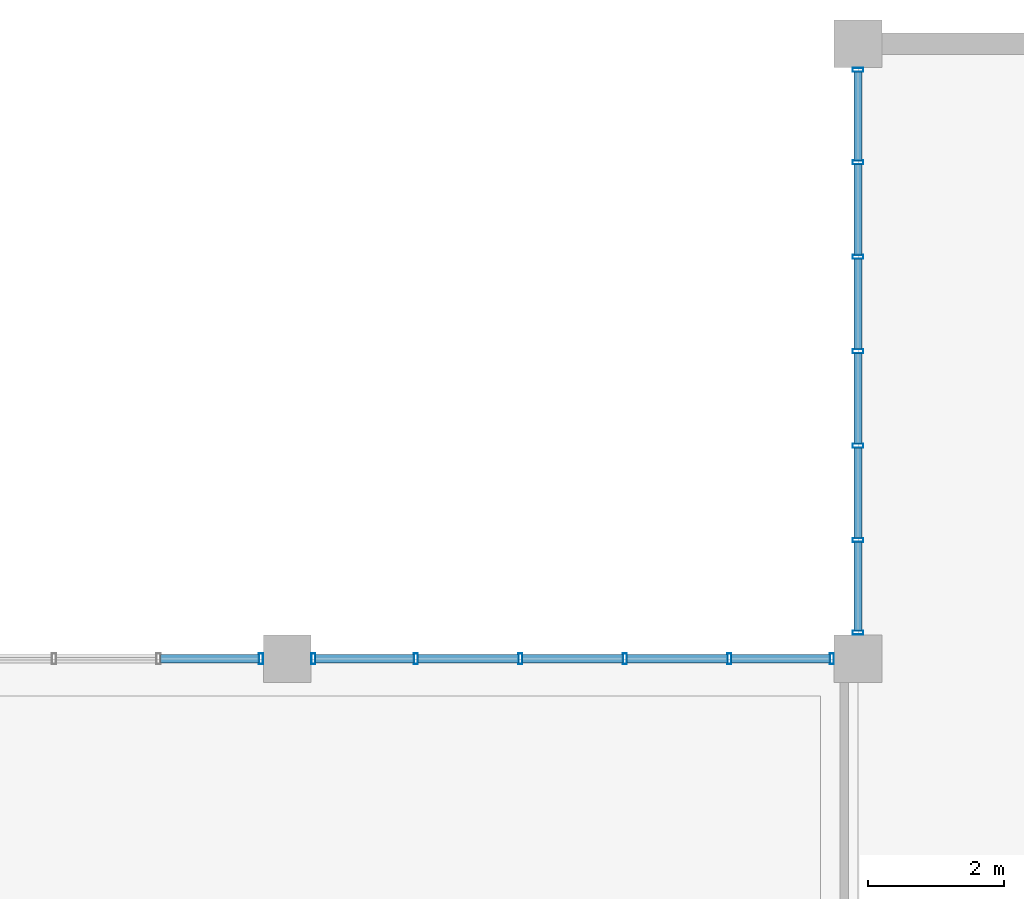
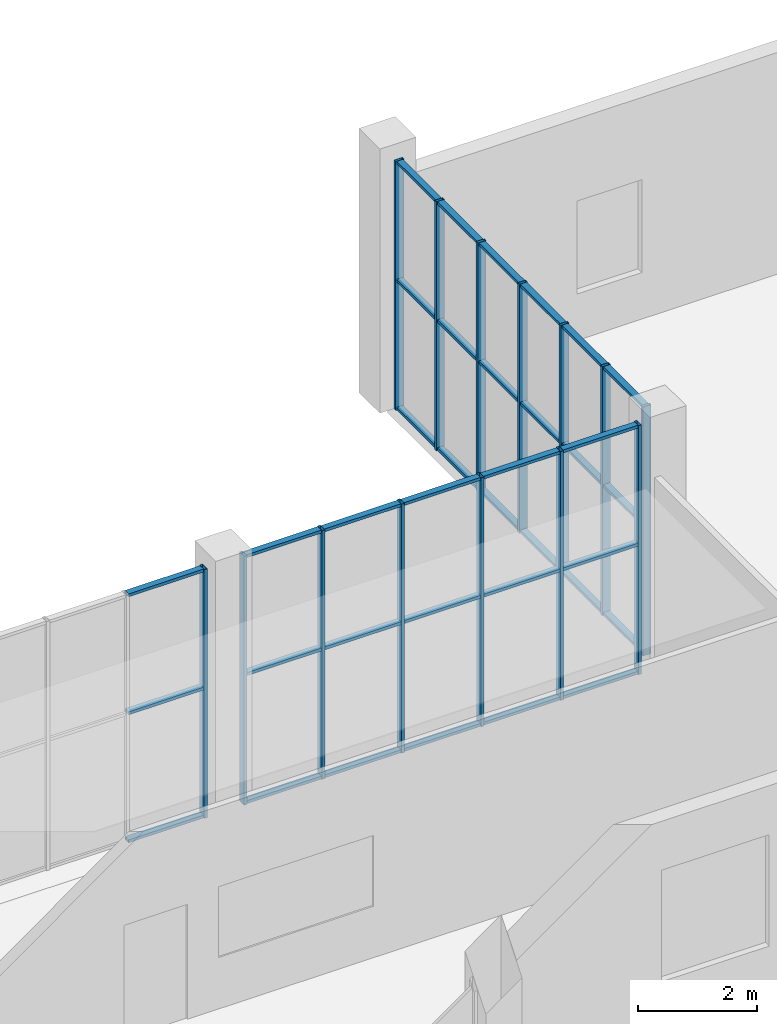
# One storey, part 44 of 91: 50 members, 3 elements without a shape of their own.
"""IFC4 building model written with IfcOpenShell, lengths in metres."""

from ifc_helpers import new_model, si_unit, direction, frame, origin, origin_2d, place, context, subcontext, project, spatial, hollow_rectangle, extrude, material, material_profile, profile_set, type_object, element, aggregate, save


model = new_model("IFC4")

# Units and contexts
model_context = context("Model", 3, precision=1e-05, world=origin(), true_north=direction((0.0, 1.0)))
body_context = subcontext(model_context, "Body", "Model", "MODEL_VIEW")
ifc_project = project(units=[si_unit("LENGTHUNIT", "METRE"), si_unit("AREAUNIT", "SQUARE_METRE"), si_unit("VOLUMEUNIT", "CUBIC_METRE"), si_unit("PLANEANGLEUNIT", "RADIAN"), si_unit("MASSUNIT", "GRAM", prefix="KILO")], contexts=[model_context])

# Site, building, storey
site_placement = place(None, origin())
site = spatial("IfcSite", under=ifc_project, at=site_placement, CompositionType="ELEMENT")
building_placement = place(site_placement, origin())
building = spatial("IfcBuilding", under=site, at=building_placement, Name="Khurvash Pelagic Aquarium", CompositionType="ELEMENT")
storey_placement = place(building_placement, origin())
storey = spatial("IfcBuildingStorey", under=building, at=storey_placement, Name="L00", CompositionType="ELEMENT", Elevation=0.0)

# Curtain wall, members
ifc_material_1 = material(Name="Anodised aluminium and low-E laminated glass", Category="aluminium")
curtain_wall_type_1 = type_object("IfcCurtainWallType", Name="CW-05", PredefinedType="USERDEFINED", material=ifc_material_1)
curtain_wall_1_placement = place(storey_placement, origin())
curtain_wall_1 = element("IfcCurtainWall", 1, at=curtain_wall_1_placement, inside=storey, type_object=curtain_wall_type_1, Name="L00 Facade Unitised Curtain Wall CW-05 0064", ObjectType="UNITISED CURTAIN WALL", PredefinedType="USERDEFINED")
ifc_material_2 = material(Name="Extruded aluminium AW-6063-T6", Category="aluminium")
ifc_material_profile_1 = material_profile(ifc_material_2, hollow_rectangle(XDim=0.06005859375, YDim=0.159912109375, WallThickness=0.00390625, at=origin_2d()), Name="CWM60X160X4")
ifc_profile_set_1 = profile_set([ifc_material_profile_1], Name="Extruded aluminium AW-6063-T6")
member_type_1 = type_object("IfcMemberType", Name="CM-02", PredefinedType="MULLION", material=ifc_profile_set_1)
member_1_placement = place(storey_placement, frame((58.800048828125, 110.81494140625, 0.0), z_axis=(0.0, 0.0, 1.0), x_axis=(0.0, -1.0, 0.0)))
member_1 = element("IfcMember", 2, at=member_1_placement, type_object=member_type_1, Name="CW-05 mullion 1", PredefinedType="MULLION", context=body_context, shape_type="SweptSolid", body=[
    extrude(hollow_rectangle(XDim=0.06005859375, YDim=0.159912109375, WallThickness=0.00390625, at=origin_2d()), origin(), (0.0, 0.0, 1.0), 5.090087890625),
])
member_2_placement = place(storey_placement, frame((58.800048828125, 109.455078125, 0.0), z_axis=(0.0, 0.0, 1.0), x_axis=(0.0, -1.0, 0.0)))
member_2 = element("IfcMember", 3, at=member_2_placement, type_object=member_type_1, Name="CW-05 mullion 2", PredefinedType="MULLION", context=body_context, shape_type="SweptSolid", body=[
    extrude(hollow_rectangle(XDim=0.06005859375, YDim=0.159912109375, WallThickness=0.00390625, at=origin_2d()), origin(), (0.0, 0.0, 1.0), 5.090087890625),
])
member_3_placement = place(storey_placement, frame((58.800048828125, 108.06494140625, 0.0), z_axis=(0.0, 0.0, 1.0), x_axis=(0.0, -1.0, 0.0)))
member_3 = element("IfcMember", 4, at=member_3_placement, type_object=member_type_1, Name="CW-05 mullion 3", PredefinedType="MULLION", context=body_context, shape_type="SweptSolid", body=[
    extrude(hollow_rectangle(XDim=0.06005859375, YDim=0.159912109375, WallThickness=0.00390625, at=origin_2d()), origin(), (0.0, 0.0, 1.0), 5.090087890625),
])
member_4_placement = place(storey_placement, frame((58.800048828125, 106.675048828125, 0.0), z_axis=(0.0, 0.0, 1.0), x_axis=(0.0, -1.0, 0.0)))
member_4 = element("IfcMember", 5, at=member_4_placement, type_object=member_type_1, Name="CW-05 mullion 4", PredefinedType="MULLION", context=body_context, shape_type="SweptSolid", body=[
    extrude(hollow_rectangle(XDim=0.06005859375, YDim=0.159912109375, WallThickness=0.00390625, at=origin_2d()), origin(), (0.0, 0.0, 1.0), 5.090087890625),
])
member_5_placement = place(storey_placement, frame((58.800048828125, 105.284912109375, 0.0), z_axis=(0.0, 0.0, 1.0), x_axis=(0.0, -1.0, 0.0)))
member_5 = element("IfcMember", 6, at=member_5_placement, type_object=member_type_1, Name="CW-05 mullion 5", PredefinedType="MULLION", context=body_context, shape_type="SweptSolid", body=[
    extrude(hollow_rectangle(XDim=0.06005859375, YDim=0.159912109375, WallThickness=0.00390625, at=origin_2d()), origin(), (0.0, 0.0, 1.0), 5.090087890625),
])
member_6_placement = place(storey_placement, frame((58.800048828125, 103.89501953125, 0.0), z_axis=(0.0, 0.0, 1.0), x_axis=(0.0, -1.0, 0.0)))
member_6 = element("IfcMember", 7, at=member_6_placement, type_object=member_type_1, Name="CW-05 mullion 6", PredefinedType="MULLION", context=body_context, shape_type="SweptSolid", body=[
    extrude(hollow_rectangle(XDim=0.06005859375, YDim=0.159912109375, WallThickness=0.00390625, at=origin_2d()), origin(), (0.0, 0.0, 1.0), 5.090087890625),
])
member_7_placement = place(storey_placement, frame((58.800048828125, 102.534912109375, 0.0), z_axis=(0.0, 0.0, 1.0), x_axis=(0.0, -1.0, 0.0)))
member_7 = element("IfcMember", 8, at=member_7_placement, type_object=member_type_1, Name="CW-05 mullion 7", PredefinedType="MULLION", context=body_context, shape_type="SweptSolid", body=[
    extrude(hollow_rectangle(XDim=0.06005859375, YDim=0.159912109375, WallThickness=0.00390625, at=origin_2d()), origin(), (0.0, 0.0, 1.0), 5.090087890625),
])

curtain_wall_type_2 = type_object("IfcCurtainWallType", Name="CW-02", PredefinedType="USERDEFINED", material=ifc_material_1)
curtain_wall_2_placement = place(storey_placement, origin())
curtain_wall_2 = element("IfcCurtainWall", 9, at=curtain_wall_2_placement, inside=storey, type_object=curtain_wall_type_2, Name="L00 Facade Unitised Curtain Wall CW-02 0065", ObjectType="UNITISED CURTAIN WALL", PredefinedType="USERDEFINED")
member_8_placement = place(storey_placement, frame((58.4150390625, 102.14990234375, 0.0), z_axis=(0.0, 0.0, 1.0), x_axis=(-1.0, 0.0, 0.0)))
member_8 = element("IfcMember", 10, at=member_8_placement, type_object=member_type_1, Name="CW-02 mullion 1", PredefinedType="MULLION", context=body_context, shape_type="SweptSolid", body=[
    extrude(hollow_rectangle(XDim=0.06005859375, YDim=0.159912109375, WallThickness=0.00390625, at=origin_2d()), origin(), (0.0, 0.0, 1.0), 5.090087890625),
])
member_9_placement = place(storey_placement, frame((56.906982421875, 102.14990234375, 0.0), z_axis=(0.0, 0.0, 1.0), x_axis=(-1.0, 0.0, 0.0)))
member_9 = element("IfcMember", 11, at=member_9_placement, type_object=member_type_1, Name="CW-02 mullion 2", PredefinedType="MULLION", context=body_context, shape_type="SweptSolid", body=[
    extrude(hollow_rectangle(XDim=0.06005859375, YDim=0.159912109375, WallThickness=0.00390625, at=origin_2d()), origin(), (0.0, 0.0, 1.0), 5.090087890625),
])
member_10_placement = place(storey_placement, frame((55.368896484375, 102.14990234375, 0.0), z_axis=(0.0, 0.0, 1.0), x_axis=(-1.0, 0.0, 0.0)))
member_10 = element("IfcMember", 12, at=member_10_placement, type_object=member_type_1, Name="CW-02 mullion 3", PredefinedType="MULLION", context=body_context, shape_type="SweptSolid", body=[
    extrude(hollow_rectangle(XDim=0.06005859375, YDim=0.159912109375, WallThickness=0.00390625, at=origin_2d()), origin(), (0.0, 0.0, 1.0), 5.090087890625),
])
member_11_placement = place(storey_placement, frame((53.8310546875, 102.14990234375, 0.0), z_axis=(0.0, 0.0, 1.0), x_axis=(-1.0, 0.0, 0.0)))
member_11 = element("IfcMember", 13, at=member_11_placement, type_object=member_type_1, Name="CW-02 mullion 4", PredefinedType="MULLION", context=body_context, shape_type="SweptSolid", body=[
    extrude(hollow_rectangle(XDim=0.06005859375, YDim=0.159912109375, WallThickness=0.00390625, at=origin_2d()), origin(), (0.0, 0.0, 1.0), 5.090087890625),
])
member_12_placement = place(storey_placement, frame((52.29296875, 102.14990234375, 0.0), z_axis=(0.0, 0.0, 1.0), x_axis=(-1.0, 0.0, 0.0)))
member_12 = element("IfcMember", 14, at=member_12_placement, type_object=member_type_1, Name="CW-02 mullion 5", PredefinedType="MULLION", context=body_context, shape_type="SweptSolid", body=[
    extrude(hollow_rectangle(XDim=0.06005859375, YDim=0.159912109375, WallThickness=0.00390625, at=origin_2d()), origin(), (0.0, 0.0, 1.0), 5.090087890625),
])
member_13_placement = place(storey_placement, frame((50.784912109375, 102.14990234375, 0.0), z_axis=(0.0, 0.0, 1.0), x_axis=(-1.0, 0.0, 0.0)))
member_13 = element("IfcMember", 15, at=member_13_placement, type_object=member_type_1, Name="CW-02 mullion 6", PredefinedType="MULLION", context=body_context, shape_type="SweptSolid", body=[
    extrude(hollow_rectangle(XDim=0.06005859375, YDim=0.159912109375, WallThickness=0.00390625, at=origin_2d()), origin(), (0.0, 0.0, 1.0), 5.090087890625),
])

# Curtain wall, member
curtain_wall_3_placement = place(storey_placement, origin())
curtain_wall_3 = element("IfcCurtainWall", 16, at=curtain_wall_3_placement, inside=storey, type_object=curtain_wall_type_2, Name="L00 Facade Unitised Curtain Wall CW-02 0066", ObjectType="UNITISED CURTAIN WALL", PredefinedType="USERDEFINED")
member_14_placement = place(storey_placement, frame((50.014892578125, 102.14990234375, 0.0), z_axis=(0.0, 0.0, 1.0), x_axis=(-1.0, 0.0, 0.0)))
member_14 = element("IfcMember", 17, at=member_14_placement, type_object=member_type_1, Name="CW-02 mullion 1", PredefinedType="MULLION", context=body_context, shape_type="SweptSolid", body=[
    extrude(hollow_rectangle(XDim=0.06005859375, YDim=0.159912109375, WallThickness=0.00390625, at=origin_2d()), origin(), (0.0, 0.0, 1.0), 5.090087890625),
])

# Member
ifc_material_profile_2 = material_profile(ifc_material_2, hollow_rectangle(XDim=0.1201171875, YDim=0.06005859375, WallThickness=0.00390625, at=origin_2d()), Name="CWT120X60X4")
ifc_profile_set_2 = profile_set([ifc_material_profile_2], Name="Extruded aluminium AW-6063-T6")
member_type_2 = type_object("IfcMemberType", Name="CT-02", PredefinedType="USERDEFINED", material=ifc_profile_set_2)
member_15_placement = place(storey_placement, frame((58.800048828125, 110.784912109375, 0.030029296875), z_axis=(0.0, -1.0, 0.0), x_axis=(1.0, 0.0, 0.0)))
member_15 = element("IfcMember", 18, at=member_15_placement, type_object=member_type_2, Name="CW-05 transom 1.1", ObjectType="TRANSOM", PredefinedType="USERDEFINED", context=body_context, shape_type="SweptSolid", body=[
    extrude(hollow_rectangle(XDim=0.1201171875, YDim=0.06005859375, WallThickness=0.00390625, at=origin_2d()), origin(), (0.0, 0.0, 1.0), 1.2998046875),
])

member_16_placement = place(storey_placement, frame((58.800048828125, 110.784912109375, 2.64697265625), z_axis=(0.0, -1.0, 0.0), x_axis=(1.0, 0.0, 0.0)))
member_16 = element("IfcMember", 19, at=member_16_placement, type_object=member_type_2, Name="CW-05 transom 1.2", ObjectType="TRANSOM", PredefinedType="USERDEFINED", context=body_context, shape_type="SweptSolid", body=[
    extrude(hollow_rectangle(XDim=0.1201171875, YDim=0.06005859375, WallThickness=0.00390625, at=origin_2d()), origin(), (0.0, 0.0, 1.0), 1.2998046875),
])

member_17_placement = place(storey_placement, frame((58.800048828125, 110.784912109375, 5.06005859375), z_axis=(0.0, -1.0, 0.0), x_axis=(1.0, 0.0, 0.0)))
member_17 = element("IfcMember", 20, at=member_17_placement, type_object=member_type_2, Name="CW-05 transom 1.3", ObjectType="TRANSOM", PredefinedType="USERDEFINED", context=body_context, shape_type="SweptSolid", body=[
    extrude(hollow_rectangle(XDim=0.1201171875, YDim=0.06005859375, WallThickness=0.00390625, at=origin_2d()), origin(), (0.0, 0.0, 1.0), 1.2998046875),
])

member_18_placement = place(storey_placement, frame((58.800048828125, 109.425048828125, 0.030029296875), z_axis=(0.0, -1.0, 0.0), x_axis=(1.0, 0.0, 0.0)))
member_18 = element("IfcMember", 21, at=member_18_placement, type_object=member_type_2, Name="CW-05 transom 2.1", ObjectType="TRANSOM", PredefinedType="USERDEFINED", context=body_context, shape_type="SweptSolid", body=[
    extrude(hollow_rectangle(XDim=0.1201171875, YDim=0.06005859375, WallThickness=0.00390625, at=origin_2d()), origin(), (0.0, 0.0, 1.0), 1.330078125),
])

member_19_placement = place(storey_placement, frame((58.800048828125, 109.425048828125, 2.64697265625), z_axis=(0.0, -1.0, 0.0), x_axis=(1.0, 0.0, 0.0)))
member_19 = element("IfcMember", 22, at=member_19_placement, type_object=member_type_2, Name="CW-05 transom 2.2", ObjectType="TRANSOM", PredefinedType="USERDEFINED", context=body_context, shape_type="SweptSolid", body=[
    extrude(hollow_rectangle(XDim=0.1201171875, YDim=0.06005859375, WallThickness=0.00390625, at=origin_2d()), origin(), (0.0, 0.0, 1.0), 1.330078125),
])

member_20_placement = place(storey_placement, frame((58.800048828125, 109.425048828125, 5.06005859375), z_axis=(0.0, -1.0, 0.0), x_axis=(1.0, 0.0, 0.0)))
member_20 = element("IfcMember", 23, at=member_20_placement, type_object=member_type_2, Name="CW-05 transom 2.3", ObjectType="TRANSOM", PredefinedType="USERDEFINED", context=body_context, shape_type="SweptSolid", body=[
    extrude(hollow_rectangle(XDim=0.1201171875, YDim=0.06005859375, WallThickness=0.00390625, at=origin_2d()), origin(), (0.0, 0.0, 1.0), 1.330078125),
])

member_21_placement = place(storey_placement, frame((58.800048828125, 108.034912109375, 0.030029296875), z_axis=(0.0, -1.0, 0.0), x_axis=(1.0, 0.0, 0.0)))
member_21 = element("IfcMember", 24, at=member_21_placement, type_object=member_type_2, Name="CW-05 transom 3.1", ObjectType="TRANSOM", PredefinedType="USERDEFINED", context=body_context, shape_type="SweptSolid", body=[
    extrude(hollow_rectangle(XDim=0.1201171875, YDim=0.06005859375, WallThickness=0.00390625, at=origin_2d()), origin(), (0.0, 0.0, 1.0), 1.329833984375),
])

member_22_placement = place(storey_placement, frame((58.800048828125, 108.034912109375, 2.64697265625), z_axis=(0.0, -1.0, 0.0), x_axis=(1.0, 0.0, 0.0)))
member_22 = element("IfcMember", 25, at=member_22_placement, type_object=member_type_2, Name="CW-05 transom 3.2", ObjectType="TRANSOM", PredefinedType="USERDEFINED", context=body_context, shape_type="SweptSolid", body=[
    extrude(hollow_rectangle(XDim=0.1201171875, YDim=0.06005859375, WallThickness=0.00390625, at=origin_2d()), origin(), (0.0, 0.0, 1.0), 1.329833984375),
])

member_23_placement = place(storey_placement, frame((58.800048828125, 108.034912109375, 5.06005859375), z_axis=(0.0, -1.0, 0.0), x_axis=(1.0, 0.0, 0.0)))
member_23 = element("IfcMember", 26, at=member_23_placement, type_object=member_type_2, Name="CW-05 transom 3.3", ObjectType="TRANSOM", PredefinedType="USERDEFINED", context=body_context, shape_type="SweptSolid", body=[
    extrude(hollow_rectangle(XDim=0.1201171875, YDim=0.06005859375, WallThickness=0.00390625, at=origin_2d()), origin(), (0.0, 0.0, 1.0), 1.329833984375),
])

member_24_placement = place(storey_placement, frame((58.800048828125, 106.64501953125, 0.030029296875), z_axis=(0.0, -1.0, 0.0), x_axis=(1.0, 0.0, 0.0)))
member_24 = element("IfcMember", 27, at=member_24_placement, type_object=member_type_2, Name="CW-05 transom 4.1", ObjectType="TRANSOM", PredefinedType="USERDEFINED", context=body_context, shape_type="SweptSolid", body=[
    extrude(hollow_rectangle(XDim=0.1201171875, YDim=0.06005859375, WallThickness=0.00390625, at=origin_2d()), origin(), (0.0, 0.0, 1.0), 1.330078125),
])

member_25_placement = place(storey_placement, frame((58.800048828125, 106.64501953125, 2.64697265625), z_axis=(0.0, -1.0, 0.0), x_axis=(1.0, 0.0, 0.0)))
member_25 = element("IfcMember", 28, at=member_25_placement, type_object=member_type_2, Name="CW-05 transom 4.2", ObjectType="TRANSOM", PredefinedType="USERDEFINED", context=body_context, shape_type="SweptSolid", body=[
    extrude(hollow_rectangle(XDim=0.1201171875, YDim=0.06005859375, WallThickness=0.00390625, at=origin_2d()), origin(), (0.0, 0.0, 1.0), 1.330078125),
])

member_26_placement = place(storey_placement, frame((58.800048828125, 106.64501953125, 5.06005859375), z_axis=(0.0, -1.0, 0.0), x_axis=(1.0, 0.0, 0.0)))
member_26 = element("IfcMember", 29, at=member_26_placement, type_object=member_type_2, Name="CW-05 transom 4.3", ObjectType="TRANSOM", PredefinedType="USERDEFINED", context=body_context, shape_type="SweptSolid", body=[
    extrude(hollow_rectangle(XDim=0.1201171875, YDim=0.06005859375, WallThickness=0.00390625, at=origin_2d()), origin(), (0.0, 0.0, 1.0), 1.330078125),
])

member_27_placement = place(storey_placement, frame((58.800048828125, 105.2548828125, 0.030029296875), z_axis=(0.0, -1.0, 0.0), x_axis=(1.0, 0.0, 0.0)))
member_27 = element("IfcMember", 30, at=member_27_placement, type_object=member_type_2, Name="CW-05 transom 5.1", ObjectType="TRANSOM", PredefinedType="USERDEFINED", context=body_context, shape_type="SweptSolid", body=[
    extrude(hollow_rectangle(XDim=0.1201171875, YDim=0.06005859375, WallThickness=0.00390625, at=origin_2d()), origin(), (0.0, 0.0, 1.0), 1.329833984375),
])

member_28_placement = place(storey_placement, frame((58.800048828125, 105.2548828125, 2.64697265625), z_axis=(0.0, -1.0, 0.0), x_axis=(1.0, 0.0, 0.0)))
member_28 = element("IfcMember", 31, at=member_28_placement, type_object=member_type_2, Name="CW-05 transom 5.2", ObjectType="TRANSOM", PredefinedType="USERDEFINED", context=body_context, shape_type="SweptSolid", body=[
    extrude(hollow_rectangle(XDim=0.1201171875, YDim=0.06005859375, WallThickness=0.00390625, at=origin_2d()), origin(), (0.0, 0.0, 1.0), 1.329833984375),
])

member_29_placement = place(storey_placement, frame((58.800048828125, 105.2548828125, 5.06005859375), z_axis=(0.0, -1.0, 0.0), x_axis=(1.0, 0.0, 0.0)))
member_29 = element("IfcMember", 32, at=member_29_placement, type_object=member_type_2, Name="CW-05 transom 5.3", ObjectType="TRANSOM", PredefinedType="USERDEFINED", context=body_context, shape_type="SweptSolid", body=[
    extrude(hollow_rectangle(XDim=0.1201171875, YDim=0.06005859375, WallThickness=0.00390625, at=origin_2d()), origin(), (0.0, 0.0, 1.0), 1.329833984375),
])

member_30_placement = place(storey_placement, frame((58.800048828125, 103.864990234375, 0.030029296875), z_axis=(0.0, -1.0, 0.0), x_axis=(1.0, 0.0, 0.0)))
member_30 = element("IfcMember", 33, at=member_30_placement, type_object=member_type_2, Name="CW-05 transom 6.1", ObjectType="TRANSOM", PredefinedType="USERDEFINED", context=body_context, shape_type="SweptSolid", body=[
    extrude(hollow_rectangle(XDim=0.1201171875, YDim=0.06005859375, WallThickness=0.00390625, at=origin_2d()), origin(), (0.0, 0.0, 1.0), 1.300048828125),
])

member_31_placement = place(storey_placement, frame((58.800048828125, 103.864990234375, 2.64697265625), z_axis=(0.0, -1.0, 0.0), x_axis=(1.0, 0.0, 0.0)))
member_31 = element("IfcMember", 34, at=member_31_placement, type_object=member_type_2, Name="CW-05 transom 6.2", ObjectType="TRANSOM", PredefinedType="USERDEFINED", context=body_context, shape_type="SweptSolid", body=[
    extrude(hollow_rectangle(XDim=0.1201171875, YDim=0.06005859375, WallThickness=0.00390625, at=origin_2d()), origin(), (0.0, 0.0, 1.0), 1.300048828125),
])

member_32_placement = place(storey_placement, frame((58.800048828125, 103.864990234375, 5.06005859375), z_axis=(0.0, -1.0, 0.0), x_axis=(1.0, 0.0, 0.0)))
member_32 = element("IfcMember", 35, at=member_32_placement, type_object=member_type_2, Name="CW-05 transom 6.3", ObjectType="TRANSOM", PredefinedType="USERDEFINED", context=body_context, shape_type="SweptSolid", body=[
    extrude(hollow_rectangle(XDim=0.1201171875, YDim=0.06005859375, WallThickness=0.00390625, at=origin_2d()), origin(), (0.0, 0.0, 1.0), 1.300048828125),
])

aggregate(curtain_wall_1, [member_1, member_2, member_3, member_4, member_5, member_6, member_7, member_15, member_16, member_17, member_18, member_19, member_20, member_21, member_22, member_23, member_24, member_25, member_26, member_27, member_28, member_29, member_30, member_31, member_32])

member_33_placement = place(storey_placement, frame((58.385009765625, 102.14990234375, 0.030029296875), z_axis=(-1.0, 0.0, 0.0), x_axis=(0.0, -1.0, 0.0)))
member_33 = element("IfcMember", 36, at=member_33_placement, type_object=member_type_2, Name="CW-02 transom 1.1", ObjectType="TRANSOM", PredefinedType="USERDEFINED", context=body_context, shape_type="SweptSolid", body=[
    extrude(hollow_rectangle(XDim=0.1201171875, YDim=0.06005859375, WallThickness=0.00390625, at=origin_2d()), origin(), (0.0, 0.0, 1.0), 1.447998046875),
])

member_34_placement = place(storey_placement, frame((58.385009765625, 102.14990234375, 2.64697265625), z_axis=(-1.0, 0.0, 0.0), x_axis=(0.0, -1.0, 0.0)))
member_34 = element("IfcMember", 37, at=member_34_placement, type_object=member_type_2, Name="CW-02 transom 1.2", ObjectType="TRANSOM", PredefinedType="USERDEFINED", context=body_context, shape_type="SweptSolid", body=[
    extrude(hollow_rectangle(XDim=0.1201171875, YDim=0.06005859375, WallThickness=0.00390625, at=origin_2d()), origin(), (0.0, 0.0, 1.0), 1.447998046875),
])

member_35_placement = place(storey_placement, frame((58.385009765625, 102.14990234375, 5.06005859375), z_axis=(-1.0, 0.0, 0.0), x_axis=(0.0, -1.0, 0.0)))
member_35 = element("IfcMember", 38, at=member_35_placement, type_object=member_type_2, Name="CW-02 transom 1.3", ObjectType="TRANSOM", PredefinedType="USERDEFINED", context=body_context, shape_type="SweptSolid", body=[
    extrude(hollow_rectangle(XDim=0.1201171875, YDim=0.06005859375, WallThickness=0.00390625, at=origin_2d()), origin(), (0.0, 0.0, 1.0), 1.447998046875),
])

member_36_placement = place(storey_placement, frame((56.876953125, 102.14990234375, 0.030029296875), z_axis=(-1.0, 0.0, 0.0), x_axis=(0.0, -1.0, 0.0)))
member_36 = element("IfcMember", 39, at=member_36_placement, type_object=member_type_2, Name="CW-02 transom 2.1", ObjectType="TRANSOM", PredefinedType="USERDEFINED", context=body_context, shape_type="SweptSolid", body=[
    extrude(hollow_rectangle(XDim=0.1201171875, YDim=0.06005859375, WallThickness=0.00390625, at=origin_2d()), origin(), (0.0, 0.0, 1.0), 1.47802734375),
])

member_37_placement = place(storey_placement, frame((56.876953125, 102.14990234375, 2.64697265625), z_axis=(-1.0, 0.0, 0.0), x_axis=(0.0, -1.0, 0.0)))
member_37 = element("IfcMember", 40, at=member_37_placement, type_object=member_type_2, Name="CW-02 transom 2.2", ObjectType="TRANSOM", PredefinedType="USERDEFINED", context=body_context, shape_type="SweptSolid", body=[
    extrude(hollow_rectangle(XDim=0.1201171875, YDim=0.06005859375, WallThickness=0.00390625, at=origin_2d()), origin(), (0.0, 0.0, 1.0), 1.47802734375),
])

member_38_placement = place(storey_placement, frame((56.876953125, 102.14990234375, 5.06005859375), z_axis=(-1.0, 0.0, 0.0), x_axis=(0.0, -1.0, 0.0)))
member_38 = element("IfcMember", 41, at=member_38_placement, type_object=member_type_2, Name="CW-02 transom 2.3", ObjectType="TRANSOM", PredefinedType="USERDEFINED", context=body_context, shape_type="SweptSolid", body=[
    extrude(hollow_rectangle(XDim=0.1201171875, YDim=0.06005859375, WallThickness=0.00390625, at=origin_2d()), origin(), (0.0, 0.0, 1.0), 1.47802734375),
])

member_39_placement = place(storey_placement, frame((55.339111328125, 102.14990234375, 0.030029296875), z_axis=(-1.0, 0.0, 0.0), x_axis=(0.0, -1.0, 0.0)))
member_39 = element("IfcMember", 42, at=member_39_placement, type_object=member_type_2, Name="CW-02 transom 3.1", ObjectType="TRANSOM", PredefinedType="USERDEFINED", context=body_context, shape_type="SweptSolid", body=[
    extrude(hollow_rectangle(XDim=0.1201171875, YDim=0.06005859375, WallThickness=0.00390625, at=origin_2d()), origin(), (0.0, 0.0, 1.0), 1.47802734375),
])

member_40_placement = place(storey_placement, frame((55.339111328125, 102.14990234375, 2.64697265625), z_axis=(-1.0, 0.0, 0.0), x_axis=(0.0, -1.0, 0.0)))
member_40 = element("IfcMember", 43, at=member_40_placement, type_object=member_type_2, Name="CW-02 transom 3.2", ObjectType="TRANSOM", PredefinedType="USERDEFINED", context=body_context, shape_type="SweptSolid", body=[
    extrude(hollow_rectangle(XDim=0.1201171875, YDim=0.06005859375, WallThickness=0.00390625, at=origin_2d()), origin(), (0.0, 0.0, 1.0), 1.47802734375),
])

member_41_placement = place(storey_placement, frame((55.339111328125, 102.14990234375, 5.06005859375), z_axis=(-1.0, 0.0, 0.0), x_axis=(0.0, -1.0, 0.0)))
member_41 = element("IfcMember", 44, at=member_41_placement, type_object=member_type_2, Name="CW-02 transom 3.3", ObjectType="TRANSOM", PredefinedType="USERDEFINED", context=body_context, shape_type="SweptSolid", body=[
    extrude(hollow_rectangle(XDim=0.1201171875, YDim=0.06005859375, WallThickness=0.00390625, at=origin_2d()), origin(), (0.0, 0.0, 1.0), 1.47802734375),
])

member_42_placement = place(storey_placement, frame((53.801025390625, 102.14990234375, 0.030029296875), z_axis=(-1.0, 0.0, 0.0), x_axis=(0.0, -1.0, 0.0)))
member_42 = element("IfcMember", 45, at=member_42_placement, type_object=member_type_2, Name="CW-02 transom 4.1", ObjectType="TRANSOM", PredefinedType="USERDEFINED", context=body_context, shape_type="SweptSolid", body=[
    extrude(hollow_rectangle(XDim=0.1201171875, YDim=0.06005859375, WallThickness=0.00390625, at=origin_2d()), origin(), (0.0, 0.0, 1.0), 1.47802734375),
])

member_43_placement = place(storey_placement, frame((53.801025390625, 102.14990234375, 2.64697265625), z_axis=(-1.0, 0.0, 0.0), x_axis=(0.0, -1.0, 0.0)))
member_43 = element("IfcMember", 46, at=member_43_placement, type_object=member_type_2, Name="CW-02 transom 4.2", ObjectType="TRANSOM", PredefinedType="USERDEFINED", context=body_context, shape_type="SweptSolid", body=[
    extrude(hollow_rectangle(XDim=0.1201171875, YDim=0.06005859375, WallThickness=0.00390625, at=origin_2d()), origin(), (0.0, 0.0, 1.0), 1.47802734375),
])

member_44_placement = place(storey_placement, frame((53.801025390625, 102.14990234375, 5.06005859375), z_axis=(-1.0, 0.0, 0.0), x_axis=(0.0, -1.0, 0.0)))
member_44 = element("IfcMember", 47, at=member_44_placement, type_object=member_type_2, Name="CW-02 transom 4.3", ObjectType="TRANSOM", PredefinedType="USERDEFINED", context=body_context, shape_type="SweptSolid", body=[
    extrude(hollow_rectangle(XDim=0.1201171875, YDim=0.06005859375, WallThickness=0.00390625, at=origin_2d()), origin(), (0.0, 0.0, 1.0), 1.47802734375),
])

member_45_placement = place(storey_placement, frame((52.262939453125, 102.14990234375, 0.030029296875), z_axis=(-1.0, 0.0, 0.0), x_axis=(0.0, -1.0, 0.0)))
member_45 = element("IfcMember", 48, at=member_45_placement, type_object=member_type_2, Name="CW-02 transom 5.1", ObjectType="TRANSOM", PredefinedType="USERDEFINED", context=body_context, shape_type="SweptSolid", body=[
    extrude(hollow_rectangle(XDim=0.1201171875, YDim=0.06005859375, WallThickness=0.00390625, at=origin_2d()), origin(), (0.0, 0.0, 1.0), 1.447998046875),
])

member_46_placement = place(storey_placement, frame((52.262939453125, 102.14990234375, 2.64697265625), z_axis=(-1.0, 0.0, 0.0), x_axis=(0.0, -1.0, 0.0)))
member_46 = element("IfcMember", 49, at=member_46_placement, type_object=member_type_2, Name="CW-02 transom 5.2", ObjectType="TRANSOM", PredefinedType="USERDEFINED", context=body_context, shape_type="SweptSolid", body=[
    extrude(hollow_rectangle(XDim=0.1201171875, YDim=0.06005859375, WallThickness=0.00390625, at=origin_2d()), origin(), (0.0, 0.0, 1.0), 1.447998046875),
])

member_47_placement = place(storey_placement, frame((52.262939453125, 102.14990234375, 5.06005859375), z_axis=(-1.0, 0.0, 0.0), x_axis=(0.0, -1.0, 0.0)))
member_47 = element("IfcMember", 50, at=member_47_placement, type_object=member_type_2, Name="CW-02 transom 5.3", ObjectType="TRANSOM", PredefinedType="USERDEFINED", context=body_context, shape_type="SweptSolid", body=[
    extrude(hollow_rectangle(XDim=0.1201171875, YDim=0.06005859375, WallThickness=0.00390625, at=origin_2d()), origin(), (0.0, 0.0, 1.0), 1.447998046875),
])

aggregate(curtain_wall_2, [member_8, member_9, member_10, member_11, member_12, member_13, member_33, member_34, member_35, member_36, member_37, member_38, member_39, member_40, member_41, member_42, member_43, member_44, member_45, member_46, member_47])

member_48_placement = place(storey_placement, frame((49.985107421875, 102.14990234375, 0.030029296875), z_axis=(-1.0, 0.0, 0.0), x_axis=(0.0, -1.0, 0.0)))
member_48 = element("IfcMember", 51, at=member_48_placement, type_object=member_type_2, Name="CW-02 transom 1.1", ObjectType="TRANSOM", PredefinedType="USERDEFINED", context=body_context, shape_type="SweptSolid", body=[
    extrude(hollow_rectangle(XDim=0.1201171875, YDim=0.06005859375, WallThickness=0.00390625, at=origin_2d()), origin(), (0.0, 0.0, 1.0), 1.447998046875),
])

member_49_placement = place(storey_placement, frame((49.985107421875, 102.14990234375, 2.64697265625), z_axis=(-1.0, 0.0, 0.0), x_axis=(0.0, -1.0, 0.0)))
member_49 = element("IfcMember", 52, at=member_49_placement, type_object=member_type_2, Name="CW-02 transom 1.2", ObjectType="TRANSOM", PredefinedType="USERDEFINED", context=body_context, shape_type="SweptSolid", body=[
    extrude(hollow_rectangle(XDim=0.1201171875, YDim=0.06005859375, WallThickness=0.00390625, at=origin_2d()), origin(), (0.0, 0.0, 1.0), 1.447998046875),
])

member_50_placement = place(storey_placement, frame((49.985107421875, 102.14990234375, 5.06005859375), z_axis=(-1.0, 0.0, 0.0), x_axis=(0.0, -1.0, 0.0)))
member_50 = element("IfcMember", 53, at=member_50_placement, type_object=member_type_2, Name="CW-02 transom 1.3", ObjectType="TRANSOM", PredefinedType="USERDEFINED", context=body_context, shape_type="SweptSolid", body=[
    extrude(hollow_rectangle(XDim=0.1201171875, YDim=0.06005859375, WallThickness=0.00390625, at=origin_2d()), origin(), (0.0, 0.0, 1.0), 1.447998046875),
])

aggregate(curtain_wall_3, [member_14, member_48, member_49, member_50])

save(model, "model.ifc")
